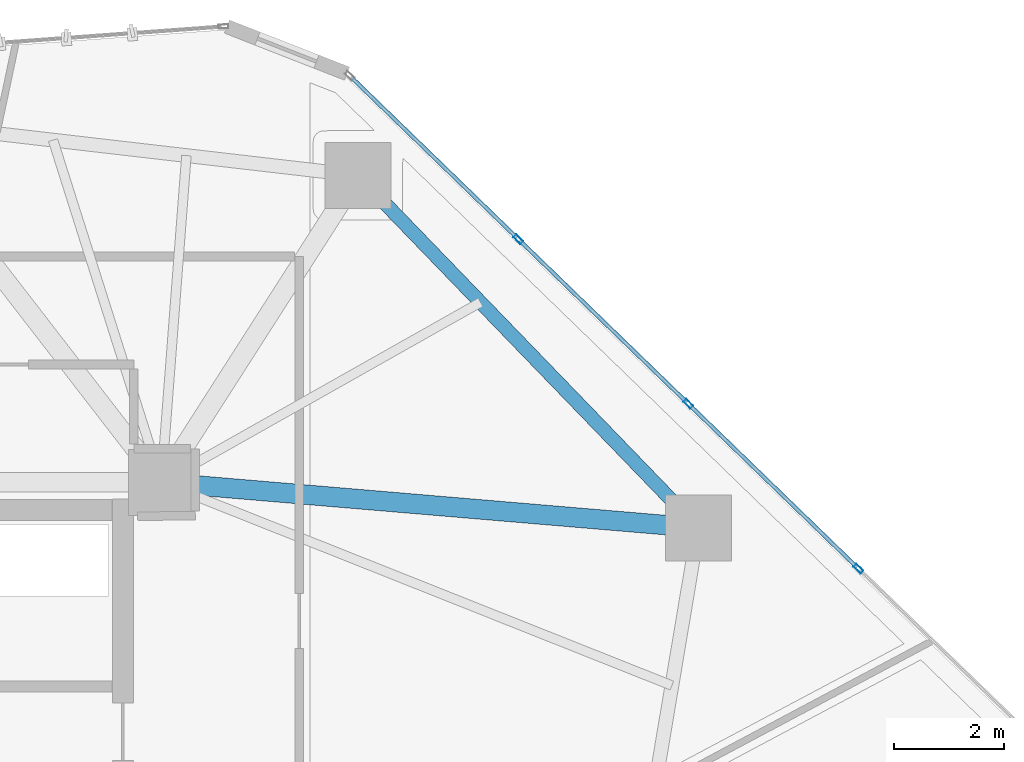
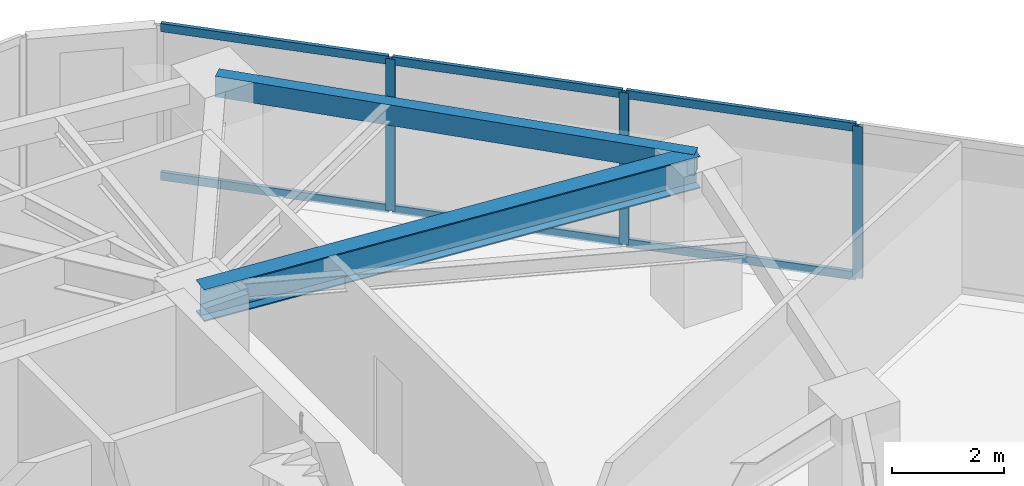
# One storey, part 14 of 23: 9 members, 2 beams, 1 element without a shape of its own.
"""IFC4 building model written with IfcOpenShell, lengths in metres."""

from ifc_helpers import new_model, si_unit, direction, frame, origin, origin_2d, place, context, subcontext, project, spatial, hollow_rectangle, i_section, extrude, source, transform, mapped, material, layer, layer_set, material_profile, profile_set, type_object, type_shapes, element, aggregate, save


model = new_model("IFC4")

# Units and contexts
model_context = context("Model", 3, precision=1e-05, world=origin(), true_north=direction((0.0, 1.0)))
body_context = subcontext(model_context, "Body", "Model", "MODEL_VIEW")
ifc_project = project(units=[si_unit("LENGTHUNIT", "METRE"), si_unit("AREAUNIT", "SQUARE_METRE"), si_unit("VOLUMEUNIT", "CUBIC_METRE"), si_unit("PLANEANGLEUNIT", "RADIAN"), si_unit("MASSUNIT", "GRAM", prefix="KILO")], contexts=[model_context])

# Site, building, storey
site_placement = place(None, origin())
site = spatial("IfcSite", under=ifc_project, at=site_placement, CompositionType="ELEMENT")
building_placement = place(site_placement, origin())
building = spatial("IfcBuilding", under=site, at=building_placement, Name="Talar Marvaseh", CompositionType="ELEMENT")
storey_placement = place(building_placement, frame((0.0, 0.0, 103.800048828125)))
storey = spatial("IfcBuildingStorey", under=building, at=storey_placement, Name="L26", CompositionType="ELEMENT", Elevation=103.800048828125)

# Beams
ifc_material_1 = material(Name="Steel S355", Category="steel")
ifc_material_profile_1 = material_profile(ifc_material_1, hollow_rectangle(XDim=0.25, YDim=0.449951171875, WallThickness=0.01611328125, at=origin_2d()), Name="RHS450x250x16")
ifc_profile_set_1 = profile_set([ifc_material_profile_1], Name="Steel S355")
beam_type_1 = type_object("IfcBeamType", Name="Zone 2 Perimeter Spandrel Beam RHS450x250x16", PredefinedType="SPANDREL", material=ifc_profile_set_1)
beam_1_placement = place(storey_placement, frame((36.865966796875, 42.470947265625, 3.0849609375), z_axis=(0.694796856243, -0.719206040405, 0.0), x_axis=(0.719206040405, 0.694796856243, 0.0)))
element("IfcBeam", 1, at=beam_1_placement, inside=storey, type_object=beam_type_1, Name="L26 Zone 2 Perimeter Spandrel Beam RHS450x250x16", PredefinedType="SPANDREL", context=body_context, shape_type="SweptSolid", body=[
    extrude(hollow_rectangle(XDim=0.25, YDim=0.449951171875, WallThickness=0.01611328125, at=origin_2d()), origin(), (0.0, 0.0, 1.0), 8.891845703125),
])
ifc_material_profile_2 = material_profile(ifc_material_1, i_section(OverallWidth=0.35498046875, OverallDepth=0.695068359375, WebThickness=0.015380859375, FlangeThickness=0.02490234375, at=origin_2d()), Name="W690x217")
ifc_profile_set_2 = profile_set([ifc_material_profile_2], Name="Steel S355")
beam_type_2 = type_object("IfcBeamType", Name="Zone 2 Radial Floor Girder W690x217", PredefinedType="BEAM", material=ifc_profile_set_2)
beam_2_placement = place(storey_placement, frame((43.0439453125, 36.075927734375, 2.96240234375), z_axis=(-0.996443598923, 0.084262412527, 0.0), x_axis=(-0.084262412527, -0.996443598923, 0.0)))
element("IfcBeam", 2, at=beam_2_placement, inside=storey, type_object=beam_type_2, Name="L26 Zone 2 Radial Floor Girder W690x217", PredefinedType="BEAM", context=body_context, shape_type="SweptSolid", body=[
    extrude(i_section(OverallWidth=0.35498046875, OverallDepth=0.695068359375, WebThickness=0.015380859375, FlangeThickness=0.02490234375, at=origin_2d()), origin(), (0.0, 0.0, 1.0), 9.778564453125),
])

# Curtain wall, members
ifc_material_2 = material(Name="Architectural Aluminium", Category="aluminium")
ifc_layer = layer(ifc_material_2, 0.199951171875)
ifc_layer_set = layer_set([ifc_layer], Name="Architectural Aluminium")
curtain_wall_type = type_object("IfcCurtainWallType", Name="Unitised Acoustic Library Curtain Wall Z2", PredefinedType="NOTDEFINED", material=ifc_layer_set)
curtain_wall_placement = place(storey_placement, origin())
curtain_wall = element("IfcCurtainWall", 3, at=curtain_wall_placement, inside=storey, type_object=curtain_wall_type, Name="L26 Unitised Acoustic Library Curtain Wall Z2", PredefinedType="NOTDEFINED")
ifc_material_profile_3 = material_profile(ifc_material_2, hollow_rectangle(XDim=0.074951171875, YDim=0.179931640625, WallThickness=0.0048828125, at=origin_2d()), Name="RHS180x75x5")
ifc_profile_set_3 = profile_set([ifc_material_profile_3], Name="Architectural Aluminium")
member_type_1 = type_object("IfcMemberType", Name="Unitised Curtain Wall Standard Mullion RHS180x75x5", PredefinedType="MULLION", material=ifc_profile_set_3)
shared_shape_1 = source(origin(), body_context, "Body", "SweptSolid", [
    extrude(hollow_rectangle(XDim=0.074951171875, YDim=0.179931640625, WallThickness=0.0048828125, at=origin_2d()), origin(), (0.0, 0.0, 1.0), 3.31005859375),
])
type_shapes(member_type_1, [shared_shape_1])
member_1_placement = place(storey_placement, frame((39.77490234375, 41.315673828125, 0.0), z_axis=(0.0, 0.0, 1.0), x_axis=(0.695868072996, 0.718169635243, 0.0)))
member_1 = element("IfcMember", 4, at=member_1_placement, type_object=member_type_1, Name="CW-Z2 mullion 2", PredefinedType="MULLION", context=body_context, shape_type="MappedRepresentation", body=[
    mapped(shared_shape_1, transform((0.0, 0.0, 0.0), x_axis=(1.0, 0.0, 0.0), y_axis=(0.0, 1.0, 0.0), z_axis=(0.0, 0.0, 1.0), scale=1.0)),
])
member_2_placement = place(storey_placement, frame((42.861572265625, 38.324951171875, 0.0), z_axis=(0.0, 0.0, 1.0), x_axis=(0.695868072996, 0.718169635243, 0.0)))
member_2 = element("IfcMember", 5, at=member_2_placement, type_object=member_type_1, Name="CW-Z2 mullion 3", PredefinedType="MULLION", context=body_context, shape_type="MappedRepresentation", body=[
    mapped(shared_shape_1, transform((0.0, 0.0, 0.0), x_axis=(1.0, 0.0, 0.0), y_axis=(0.0, 1.0, 0.0), z_axis=(0.0, 0.0, 1.0), scale=1.0)),
])
member_3_placement = place(storey_placement, frame((45.9482421875, 35.334228515625, 0.0), z_axis=(0.0, 0.0, 1.0), x_axis=(0.695868072996, 0.718169635243, 0.0)))
member_3 = element("IfcMember", 6, at=member_3_placement, type_object=member_type_1, Name="CW-Z2 mullion 4", PredefinedType="MULLION", context=body_context, shape_type="MappedRepresentation", body=[
    mapped(shared_shape_1, transform((0.0, 0.0, 0.0), x_axis=(1.0, 0.0, 0.0), y_axis=(0.0, 1.0, 0.0), z_axis=(0.0, 0.0, 1.0), scale=1.0)),
])
ifc_material_profile_4 = material_profile(ifc_material_2, hollow_rectangle(XDim=0.074951171875, YDim=0.179931640625, WallThickness=0.0048828125, at=origin_2d()), Name="RHS180x75x5")
ifc_profile_set_4 = profile_set([ifc_material_profile_4], Name="Architectural Aluminium")
member_type_2 = type_object("IfcMemberType", Name="Unitised Curtain Wall Transom RHS180x75x5", PredefinedType="USERDEFINED", material=ifc_profile_set_4)
shared_shape_2 = source(origin(), body_context, "Body", "SweptSolid", [
    extrude(hollow_rectangle(XDim=0.074951171875, YDim=0.179931640625, WallThickness=0.0048828125, at=origin_2d()), origin(), (0.0, 0.0, 1.0), 4.222900390625),
])
member_4_placement = place(storey_placement, frame((39.8017578125, 41.28955078125, 0.037353515625), z_axis=(0.718205010109, -0.695831562559, 0.0), x_axis=(0.695831562559, 0.718205010109, 0.0)))
member_4 = element("IfcMember", 7, at=member_4_placement, type_object=member_type_2, Name="CW-Z2 transom 2.1", ObjectType="TRANSOM", PredefinedType="USERDEFINED", context=body_context, shape_type="MappedRepresentation", body=[
    mapped(shared_shape_2, transform((0.0, 0.0, 0.0), x_axis=(1.0, 0.0, 0.0), y_axis=(0.0, 1.0, 0.0), z_axis=(0.0, 0.0, 1.0), scale=1.0)),
])
member_5_placement = place(storey_placement, frame((39.8017578125, 41.28955078125, 3.2724609375), z_axis=(0.718205010109, -0.695831562559, 0.0), x_axis=(0.695831562559, 0.718205010109, 0.0)))
member_5 = element("IfcMember", 8, at=member_5_placement, type_object=member_type_2, Name="CW-Z2 transom 2.2", ObjectType="TRANSOM", PredefinedType="USERDEFINED", context=body_context, shape_type="MappedRepresentation", body=[
    mapped(shared_shape_2, transform((0.0, 0.0, 0.0), x_axis=(1.0, 0.0, 0.0), y_axis=(0.0, 1.0, 0.0), z_axis=(0.0, 0.0, 1.0), scale=1.0)),
])
member_6_placement = place(storey_placement, frame((42.888427734375, 38.298828125, 0.037353515625), z_axis=(0.718177016607, -0.695860454989, 0.0), x_axis=(0.695860454989, 0.718177016607, 0.0)))
member_6 = element("IfcMember", 9, at=member_6_placement, type_object=member_type_2, Name="CW-Z2 transom 3.1", ObjectType="TRANSOM", PredefinedType="USERDEFINED", context=body_context, shape_type="MappedRepresentation", body=[
    mapped(shared_shape_2, transform((0.0, 0.0, 0.0), x_axis=(1.0, 0.0, 0.0), y_axis=(0.0, 1.0, 0.0), z_axis=(0.0, 0.0, 1.0), scale=1.0)),
])
member_7_placement = place(storey_placement, frame((42.888427734375, 38.298828125, 3.2724609375), z_axis=(0.718177016607, -0.695860454989, 0.0), x_axis=(0.695860454989, 0.718177016607, 0.0)))
member_7 = element("IfcMember", 10, at=member_7_placement, type_object=member_type_2, Name="CW-Z2 transom 3.2", ObjectType="TRANSOM", PredefinedType="USERDEFINED", context=body_context, shape_type="MappedRepresentation", body=[
    mapped(shared_shape_2, transform((0.0, 0.0, 0.0), x_axis=(1.0, 0.0, 0.0), y_axis=(0.0, 1.0, 0.0), z_axis=(0.0, 0.0, 1.0), scale=1.0)),
])
shared_shape_3 = source(origin(), body_context, "Body", "SweptSolid", [
    extrude(hollow_rectangle(XDim=0.074951171875, YDim=0.179931640625, WallThickness=0.0048828125, at=origin_2d()), origin(), (0.0, 0.0, 1.0), 4.185546875),
])
type_shapes(member_type_2, [shared_shape_2, shared_shape_3])
member_8_placement = place(storey_placement, frame((36.7421875, 44.25439453125, 0.037353515625), z_axis=(0.718160054555, -0.695877960595, 0.0), x_axis=(0.695877960595, 0.718160054555, 0.0)))
member_8 = element("IfcMember", 11, at=member_8_placement, type_object=member_type_2, Name="CW-Z2 transom 1.1", ObjectType="TRANSOM", PredefinedType="USERDEFINED", context=body_context, shape_type="MappedRepresentation", body=[
    mapped(shared_shape_3, transform((0.0, 0.0, 0.0), x_axis=(1.0, 0.0, 0.0), y_axis=(0.0, 1.0, 0.0), z_axis=(0.0, 0.0, 1.0), scale=1.0)),
])
member_9_placement = place(storey_placement, frame((36.7421875, 44.25439453125, 3.2724609375), z_axis=(0.718160054555, -0.695877960595, 0.0), x_axis=(0.695877960595, 0.718160054555, 0.0)))
member_9 = element("IfcMember", 12, at=member_9_placement, type_object=member_type_2, Name="CW-Z2 transom 1.2", ObjectType="TRANSOM", PredefinedType="USERDEFINED", context=body_context, shape_type="MappedRepresentation", body=[
    mapped(shared_shape_3, transform((0.0, 0.0, 0.0), x_axis=(1.0, 0.0, 0.0), y_axis=(0.0, 1.0, 0.0), z_axis=(0.0, 0.0, 1.0), scale=1.0)),
])
aggregate(curtain_wall, [member_1, member_2, member_3, member_8, member_9, member_4, member_5, member_6, member_7])

save(model, "model.ifc")
